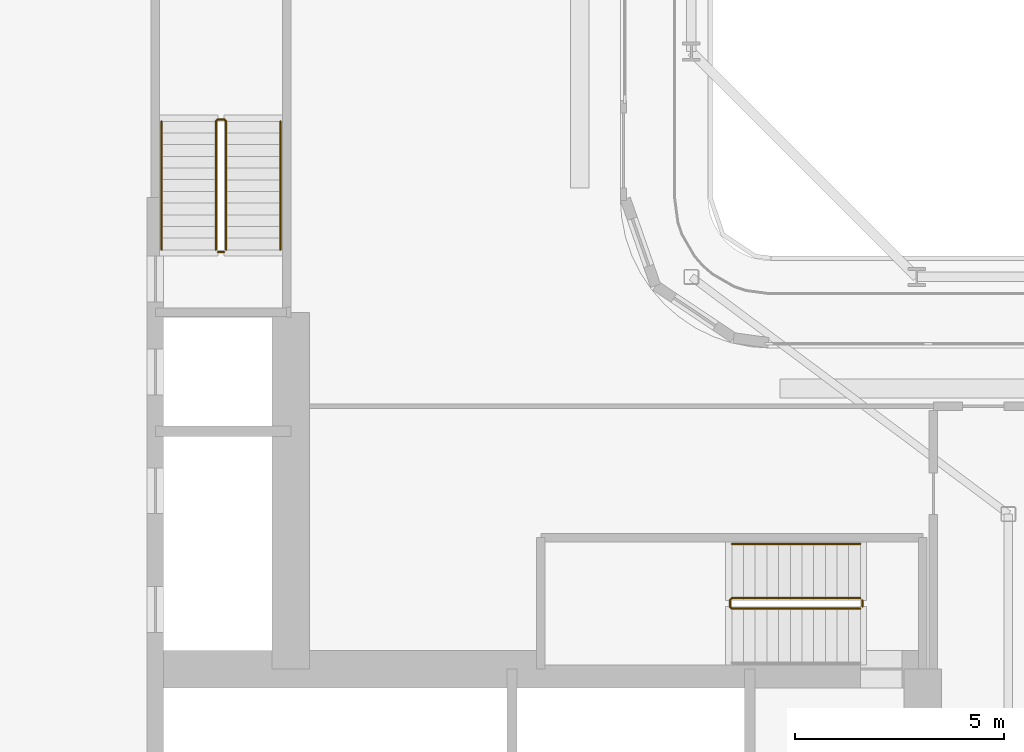
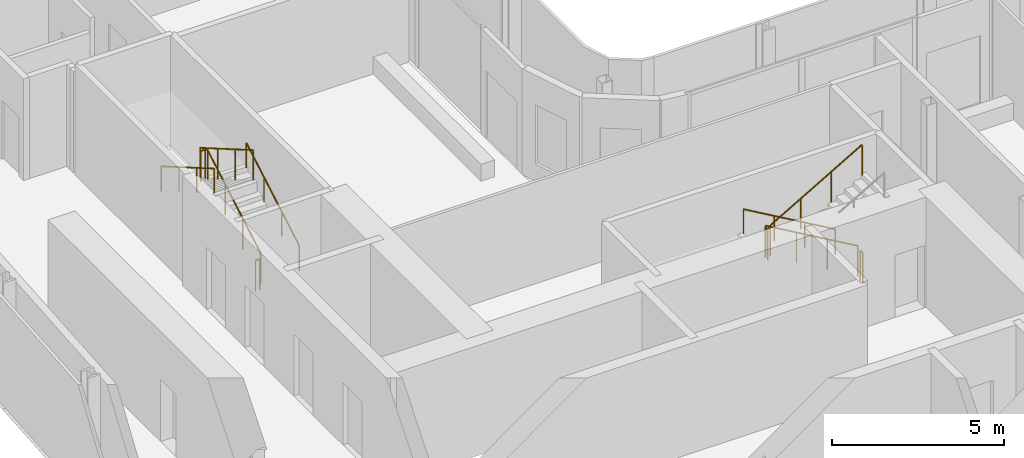
# One storey, part 23 of 28: 7 railings.
"""IFC4 building model written with IfcOpenShell, lengths in metres."""

from ifc_helpers import new_model, si_unit, direction, frame, origin, origin_2d, place, context, subcontext, project, spatial, circle, extrude, material, type_object, element, save


model = new_model("IFC4")

# Units and contexts
model_context = context("Model", 3, precision=1e-05, world=origin(), true_north=direction((0.0, 1.0)))
body_context = subcontext(model_context, "Body", "Model", "MODEL_VIEW")
ifc_project = project(units=[si_unit("LENGTHUNIT", "METRE"), si_unit("AREAUNIT", "SQUARE_METRE"), si_unit("VOLUMEUNIT", "CUBIC_METRE"), si_unit("PLANEANGLEUNIT", "RADIAN"), si_unit("MASSUNIT", "GRAM", prefix="KILO")], contexts=[model_context])

# Site, building, storey
site_placement = place(None, origin())
site = spatial("IfcSite", under=ifc_project, at=site_placement, CompositionType="ELEMENT")
building_placement = place(site_placement, origin())
building = spatial("IfcBuilding", under=site, at=building_placement, Name="Kheshtan School and Residences Tower", CompositionType="ELEMENT")
storey_placement = place(building_placement, frame((0.0, 0.0, 125.300048828125)))
storey = spatial("IfcBuildingStorey", under=building, at=storey_placement, Name="L29", CompositionType="ELEMENT", Elevation=125.300048828125)

# Railings
ifc_material_1 = material(Name="Stainless steel balustrade", Category="steel")
railing_type_1 = type_object("IfcRailingType", Name="Stair guard 1100", PredefinedType="GUARDRAIL", material=ifc_material_1)
railing_1_placement = place(storey_placement, frame((51.64990234375, 37.89990234375, 0.162353515625)))
element("IfcRailing", 1, at=railing_1_placement, inside=storey, type_object=railing_type_1, Name="L29 ST1 stair guard 1", PredefinedType="GUARDRAIL", context=body_context, shape_type="SweptSolid", body=[
    extrude(circle(Radius=0.02392578125, at=origin_2d()), frame((0.0, 0.0, 1.076171875), z_axis=(-0.864873446163, 0.0, 0.501989962173), x_axis=(0.0, -1.0, 0.0)), (0.0, 0.0, 1.0), 3.56103515625),
    extrude(circle(Radius=0.02392578125, at=origin_2d()), frame((-3.079833984375, 0.0, 2.86376953125), z_axis=(-0.708833529934, -0.705375805398, 0.0), x_axis=(0.705375805398, -0.708833529934, 0.0)), (0.0, 0.0, 1.0), 0.070556640625),
    extrude(circle(Radius=0.02392578125, at=origin_2d()), frame((-3.1298828125, -0.0498046875, 2.86376953125), z_axis=(0.0, -1.0, 0.0), x_axis=(1.0, 0.0, 0.0)), (0.0, 0.0, 1.0), 0.150146484375),
    extrude(circle(Radius=0.02392578125, at=origin_2d()), frame((-3.1298828125, -0.199951171875, 2.86376953125), z_axis=(0.282227285176, -0.282227285176, 0.916894497205), x_axis=(0.707106781187, 0.707106781187, 0.0)), (0.0, 0.0, 1.0), 0.17724609375),
    extrude(circle(Radius=0.02392578125, at=origin_2d()), frame((-3.079833984375, -0.25, 3.0263671875), z_axis=(0.864903211148, 0.0, 0.501938676878), x_axis=(0.0, 1.0, 0.0)), (0.0, 0.0, 1.0), 3.560791015625),
    extrude(circle(Radius=0.02099609375, at=origin_2d()), origin(), (0.0, 0.0, 1.0), 1.052001953125),
    extrude(circle(Radius=0.02099609375, at=origin_2d()), frame((-1.026611328125, 0.0, 0.595947265625)), (0.0, 0.0, 1.0), 1.052001953125),
    extrude(circle(Radius=0.02099609375, at=origin_2d()), frame((-2.05322265625, 0.0, 1.191650390625)), (0.0, 0.0, 1.0), 1.052001953125),
    extrude(circle(Radius=0.02099609375, at=origin_2d()), frame((-3.079833984375, 0.0, 1.78759765625)), (0.0, 0.0, 1.0), 1.052001953125),
    extrude(circle(Radius=0.02099609375, at=origin_2d()), frame((-3.1298828125, -0.0498046875, 1.78759765625)), (0.0, 0.0, 1.0), 1.052001953125),
    extrude(circle(Radius=0.02099609375, at=origin_2d()), frame((-3.1298828125, -0.199951171875, 1.78759765625)), (0.0, 0.0, 1.0), 1.052001953125),
    extrude(circle(Radius=0.02099609375, at=origin_2d()), frame((-3.079833984375, -0.25, 1.9501953125)), (0.0, 0.0, 1.0), 1.052001953125),
    extrude(circle(Radius=0.02099609375, at=origin_2d()), frame((-2.05322265625, -0.25, 2.5458984375)), (0.0, 0.0, 1.0), 1.052001953125),
    extrude(circle(Radius=0.02099609375, at=origin_2d()), frame((-1.026611328125, -0.25, 3.141845703125)), (0.0, 0.0, 1.0), 1.052001953125),
    extrude(circle(Radius=0.02099609375, at=origin_2d()), frame((0.0, -0.25, 3.737548828125)), (0.0, 0.0, 1.0), 1.052001953125),
])
railing_2_placement = place(storey_placement, frame((51.699951171875, 37.85009765625, 0.0)))
element("IfcRailing", 2, at=railing_2_placement, inside=storey, type_object=railing_type_1, Name="L29 ST1 stair guard 2", PredefinedType="GUARDRAIL", context=body_context, shape_type="SweptSolid", body=[
    extrude(circle(Radius=0.02392578125, at=origin_2d()), frame((0.0, 0.0, 1.076171875), z_axis=(0.0, -1.0, 0.0), x_axis=(1.0, 0.0, 0.0)), (0.0, 0.0, 1.0), 0.150146484375),
    extrude(circle(Radius=0.02099609375, at=origin_2d()), origin(), (0.0, 0.0, 1.0), 1.052001953125),
    extrude(circle(Radius=0.02099609375, at=origin_2d()), frame((0.0, -0.150146484375, 0.0)), (0.0, 0.0, 1.0), 1.052001953125),
])
railing_3_placement = place(storey_placement, frame((36.449951171875, 46.25, 0.162353515625)))
element("IfcRailing", 3, at=railing_3_placement, inside=storey, type_object=railing_type_1, Name="L29 ST2 stair guard 1", PredefinedType="GUARDRAIL", context=body_context, shape_type="SweptSolid", body=[
    extrude(circle(Radius=0.02392578125, at=origin_2d()), frame((0.0, 0.0, 1.076171875), z_axis=(0.0, 0.864890721111, 0.501960198159), x_axis=(-1.0, 0.0, 0.0)), (0.0, 0.0, 1.0), 3.561279296875),
    extrude(circle(Radius=0.02392578125, at=origin_2d()), frame((0.0, 3.080078125, 2.86376953125), z_axis=(-0.708833529934, 0.705375805398, 0.0), x_axis=(-0.705375805398, -0.708833529934, 0.0)), (0.0, 0.0, 1.0), 0.070556640625),
    extrude(circle(Radius=0.02392578125, at=origin_2d()), frame((-0.050048828125, 3.1298828125, 2.86376953125), z_axis=(-1.0, 0.0, 0.0), x_axis=(0.0, -1.0, 0.0)), (0.0, 0.0, 1.0), 0.14990234375),
    extrude(circle(Radius=0.02392578125, at=origin_2d()), frame((-0.199951171875, 3.1298828125, 2.86376953125), z_axis=(-0.282336740067, -0.280959487676, 0.917250092119), x_axis=(0.705375805398, -0.708833529934, 0.0)), (0.0, 0.0, 1.0), 0.17724609375),
    extrude(circle(Radius=0.02392578125, at=origin_2d()), frame((-0.25, 3.080078125, 3.0263671875), z_axis=(0.0, -0.864920483161, 0.501908913857), x_axis=(1.0, 0.0, 0.0)), (0.0, 0.0, 1.0), 3.56103515625),
    extrude(circle(Radius=0.02099609375, at=origin_2d()), origin(), (0.0, 0.0, 1.0), 1.052001953125),
    extrude(circle(Radius=0.02099609375, at=origin_2d()), frame((0.0, 1.026611328125, 0.595947265625)), (0.0, 0.0, 1.0), 1.052001953125),
    extrude(circle(Radius=0.02099609375, at=origin_2d()), frame((0.0, 2.053466796875, 1.191650390625)), (0.0, 0.0, 1.0), 1.052001953125),
    extrude(circle(Radius=0.02099609375, at=origin_2d()), frame((0.0, 3.080078125, 1.78759765625)), (0.0, 0.0, 1.0), 1.052001953125),
    extrude(circle(Radius=0.02099609375, at=origin_2d()), frame((-0.050048828125, 3.1298828125, 1.78759765625)), (0.0, 0.0, 1.0), 1.052001953125),
    extrude(circle(Radius=0.02099609375, at=origin_2d()), frame((-0.199951171875, 3.1298828125, 1.78759765625)), (0.0, 0.0, 1.0), 1.052001953125),
    extrude(circle(Radius=0.02099609375, at=origin_2d()), frame((-0.25, 3.080078125, 1.9501953125)), (0.0, 0.0, 1.0), 1.052001953125),
    extrude(circle(Radius=0.02099609375, at=origin_2d()), frame((-0.25, 2.053466796875, 2.5458984375)), (0.0, 0.0, 1.0), 1.052001953125),
    extrude(circle(Radius=0.02099609375, at=origin_2d()), frame((-0.25, 1.026611328125, 3.141845703125)), (0.0, 0.0, 1.0), 1.052001953125),
    extrude(circle(Radius=0.02099609375, at=origin_2d()), frame((-0.25, 0.0, 3.737548828125)), (0.0, 0.0, 1.0), 1.052001953125),
])
railing_4_placement = place(storey_placement, frame((36.39990234375, 46.199951171875, 0.0)))
element("IfcRailing", 4, at=railing_4_placement, inside=storey, type_object=railing_type_1, Name="L29 ST2 stair guard 2", PredefinedType="GUARDRAIL", context=body_context, shape_type="SweptSolid", body=[
    extrude(circle(Radius=0.02392578125, at=origin_2d()), frame((0.0, 0.0, 1.076171875), z_axis=(-1.0, 0.0, 0.0), x_axis=(0.0, -1.0, 0.0)), (0.0, 0.0, 1.0), 0.14990234375),
    extrude(circle(Radius=0.02099609375, at=origin_2d()), origin(), (0.0, 0.0, 1.0), 1.052001953125),
    extrude(circle(Radius=0.02099609375, at=origin_2d()), frame((-0.14990234375, 0.0, 0.0)), (0.0, 0.0, 1.0), 1.052001953125),
])
ifc_material_2 = material(Name="Stainless steel handrail", Category="steel")
railing_type_2 = type_object("IfcRailingType", Name="Stair handrail 900", PredefinedType="HANDRAIL", material=ifc_material_2)
railing_5_placement = place(storey_placement, frame((51.64990234375, 39.199951171875, 0.162353515625)))
element("IfcRailing", 5, at=railing_5_placement, inside=storey, type_object=railing_type_2, Name="L29 ST1 stair handrail 1", PredefinedType="HANDRAIL", context=body_context, shape_type="SweptSolid", body=[
    extrude(circle(Radius=0.02392578125, at=origin_2d()), frame((0.0, 0.0, 0.8759765625), z_axis=(-0.864873446163, 0.0, 0.501989962173), x_axis=(0.0, -1.0, 0.0)), (0.0, 0.0, 1.0), 3.56103515625),
    extrude(circle(Radius=0.02099609375, at=origin_2d()), origin(), (0.0, 0.0, 1.0), 0.851806640625),
    extrude(circle(Radius=0.02099609375, at=origin_2d()), frame((-1.026611328125, 0.0, 0.595947265625)), (0.0, 0.0, 1.0), 0.851806640625),
    extrude(circle(Radius=0.02099609375, at=origin_2d()), frame((-2.05322265625, 0.0, 1.191650390625)), (0.0, 0.0, 1.0), 0.851806640625),
    extrude(circle(Radius=0.02099609375, at=origin_2d()), frame((-3.079833984375, 0.0, 1.78759765625)), (0.0, 0.0, 1.0), 0.851806640625),
])
railing_6_placement = place(storey_placement, frame((37.75, 46.25, 0.162353515625)))
element("IfcRailing", 6, at=railing_6_placement, inside=storey, type_object=railing_type_2, Name="L29 ST2 stair handrail 1", PredefinedType="HANDRAIL", context=body_context, shape_type="SweptSolid", body=[
    extrude(circle(Radius=0.02392578125, at=origin_2d()), frame((0.0, 0.0, 0.8759765625), z_axis=(0.0, 0.864890721111, 0.501960198159), x_axis=(-1.0, 0.0, 0.0)), (0.0, 0.0, 1.0), 3.561279296875),
    extrude(circle(Radius=0.02099609375, at=origin_2d()), origin(), (0.0, 0.0, 1.0), 0.851806640625),
    extrude(circle(Radius=0.02099609375, at=origin_2d()), frame((0.0, 1.026611328125, 0.595947265625)), (0.0, 0.0, 1.0), 0.851806640625),
    extrude(circle(Radius=0.02099609375, at=origin_2d()), frame((0.0, 2.053466796875, 1.191650390625)), (0.0, 0.0, 1.0), 0.851806640625),
    extrude(circle(Radius=0.02099609375, at=origin_2d()), frame((0.0, 3.080078125, 1.78759765625)), (0.0, 0.0, 1.0), 0.851806640625),
])
railing_7_placement = place(storey_placement, frame((34.89990234375, 49.330078125, 2.112548828125)))
element("IfcRailing", 7, at=railing_7_placement, inside=storey, type_object=railing_type_2, Name="L29 ST2 stair handrail 2", PredefinedType="HANDRAIL", context=body_context, shape_type="SweptSolid", body=[
    extrude(circle(Radius=0.02392578125, at=origin_2d()), frame((0.0, 0.0, 0.8759765625), z_axis=(0.0, -0.864920483161, 0.501908913857), x_axis=(1.0, 0.0, 0.0)), (0.0, 0.0, 1.0), 3.56103515625),
    extrude(circle(Radius=0.02099609375, at=origin_2d()), origin(), (0.0, 0.0, 1.0), 0.851806640625),
    extrude(circle(Radius=0.02099609375, at=origin_2d()), frame((0.0, -1.026611328125, 0.595703125)), (0.0, 0.0, 1.0), 0.851806640625),
    extrude(circle(Radius=0.02099609375, at=origin_2d()), frame((0.0, -2.053466796875, 1.191650390625)), (0.0, 0.0, 1.0), 0.851806640625),
    extrude(circle(Radius=0.02099609375, at=origin_2d()), frame((0.0, -3.080078125, 1.787353515625)), (0.0, 0.0, 1.0), 0.851806640625),
])

save(model, "model.ifc")
